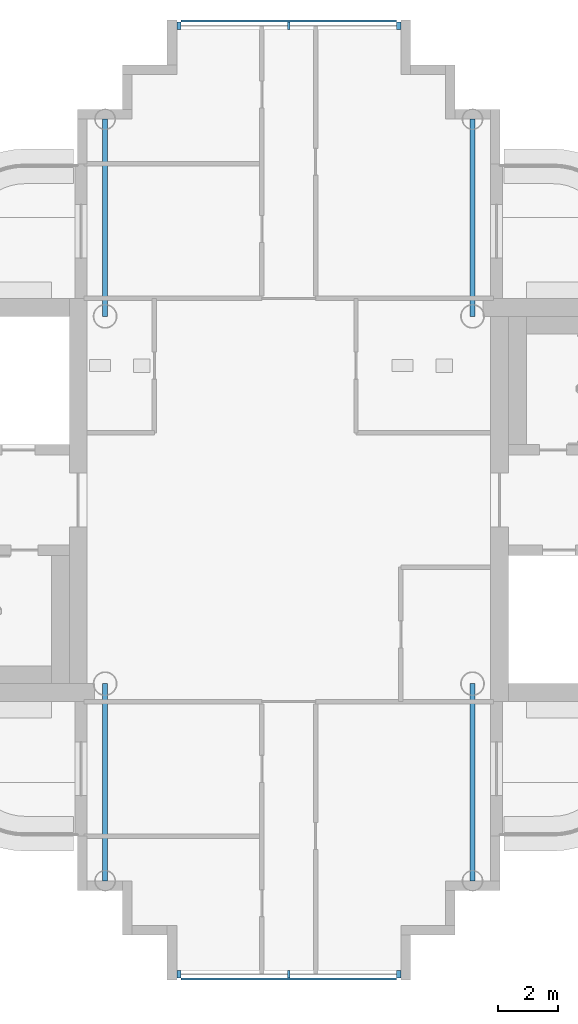
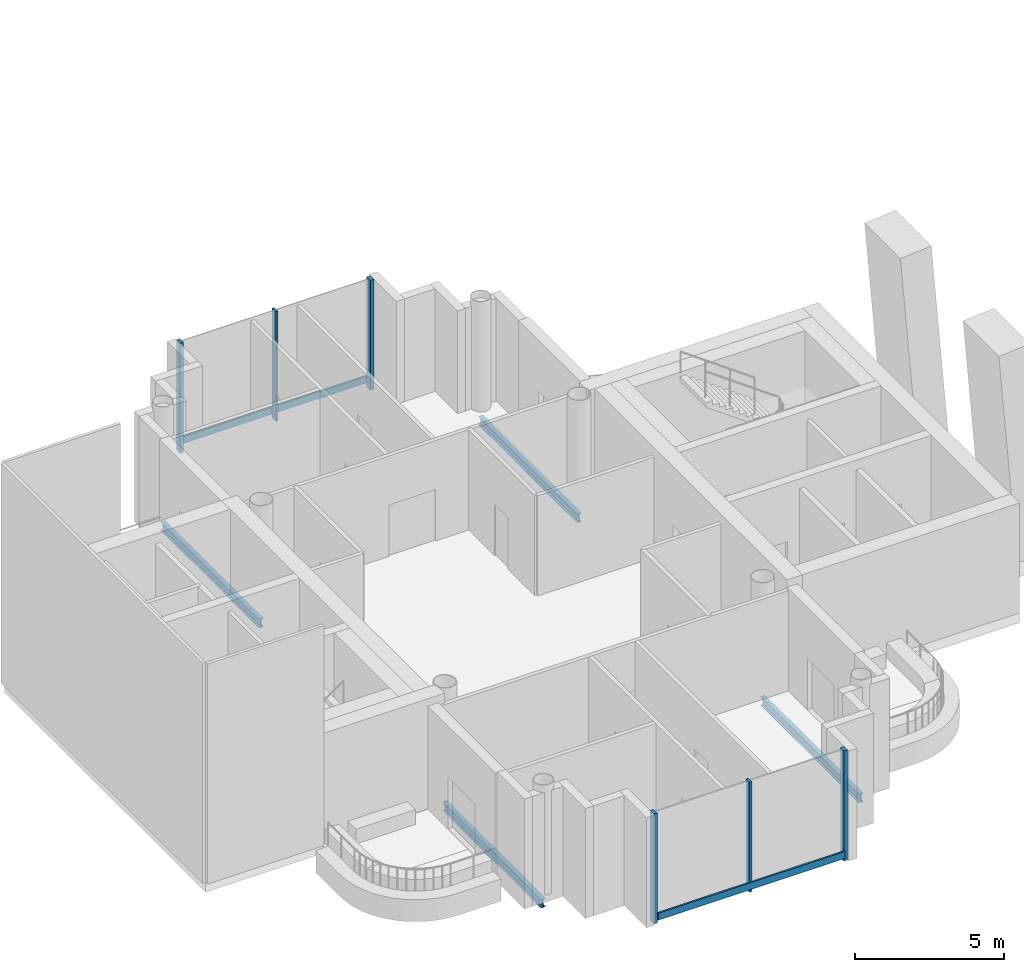
# One storey, part 3 of 19: 8 members, 4 beams, 2 elements without a shape of their own.
"""IFC4 building model written with IfcOpenShell, lengths in metres."""

from ifc_helpers import new_model, si_unit, direction, frame, origin, origin_2d, place, context, subcontext, project, spatial, rectangle, i_section, extrude, material, layer, layer_set, material_profile, profile_set, type_object, element, aggregate, save


model = new_model("IFC4")

# Units and contexts
model_context = context("Model", 3, precision=1e-05, world=origin(), true_north=direction((0.0, 1.0)))
body_context = subcontext(model_context, "Body", "Model", "MODEL_VIEW")
ifc_project = project(units=[si_unit("LENGTHUNIT", "METRE"), si_unit("AREAUNIT", "SQUARE_METRE"), si_unit("VOLUMEUNIT", "CUBIC_METRE"), si_unit("PLANEANGLEUNIT", "RADIAN"), si_unit("MASSUNIT", "GRAM", prefix="KILO")], contexts=[model_context])

# Site, building, storey
site_placement = place(None, origin())
site = spatial("IfcSite", under=ifc_project, at=site_placement, CompositionType="ELEMENT")
building_placement = place(site_placement, origin())
building = spatial("IfcBuilding", under=site, at=building_placement, Name="Ipe Terrace Towers", CompositionType="ELEMENT")
storey_placement = place(building_placement, frame((0.0, 0.0, 237.89990234375)))
storey = spatial("IfcBuildingStorey", under=building, at=storey_placement, Name="L66", CompositionType="ELEMENT", Elevation=237.89990234375)

# Beams
ifc_material_1 = material(Name="Steel S355", Category="steel")
ifc_material_profile_1 = material_profile(ifc_material_1, i_section(OverallWidth=0.175048828125, OverallDepth=0.35009765625, WebThickness=0.007080078125, FlangeThickness=0.010986328125, at=origin_2d()), Name="H-350x175x7x11")
ifc_profile_set_1 = profile_set([ifc_material_profile_1], Name="Steel S355")
beam_type = type_object("IfcBeamType", Name="H04 EDGE BEAM H-350x175x7x11", PredefinedType="BEAM", material=ifc_profile_set_1)
for number, where, z_axis, x_axis, name in (
    (1, (-29.85009765625, 12.75, -0.574951171875), (0.0, -1.0, 0.0), (1.0, 0.0, 0.0), "Edge beam T1-EB-B01-E03"),
    (2, (-42.14990234375, 12.75, -0.574951171875), (0.0, -1.0, 0.0), (1.0, 0.0, 0.0), "Edge beam T1-EB-B02-E04"),
    (3, (-42.14990234375, -12.75, -0.574951171875), (0.0, 1.0, 0.0), (-1.0, 0.0, 0.0), "Edge beam T1-EB-D01-E01"),
    (4, (-29.85009765625, -12.75, -0.574951171875), (0.0, 1.0, 0.0), (-1.0, 0.0, 0.0), "Edge beam T1-EB-D02-E02"),
):
    element("IfcBeam", number, at=place(storey_placement, frame(where, z_axis=z_axis, x_axis=x_axis)), inside=storey, type_object=beam_type, Name=name, PredefinedType="BEAM", context=body_context, shape_type="SweptSolid", body=[
        extrude(i_section(OverallWidth=0.175048828125, OverallDepth=0.35009765625, WebThickness=0.007080078125, FlangeThickness=0.010986328125, at=origin_2d()), origin(), (0.0, 0.0, 1.0), 6.60009765625),
    ])

# Curtain wall, members
ifc_material_2 = material(Name="Aluminium alloy 6063-T6", Category="aluminium")
ifc_layer = layer(ifc_material_2, 0.320068359375)
ifc_layer_set = layer_set([ifc_layer], Name="LANTERN CURTAIN WALL")
curtain_wall_type = type_object("IfcCurtainWallType", Name="LANTERN CURTAIN WALL", PredefinedType="NOTDEFINED", material=ifc_layer_set)
curtain_wall_1_placement = place(storey_placement, origin())
curtain_wall_1 = element("IfcCurtainWall", 5, at=curtain_wall_1_placement, inside=storey, type_object=curtain_wall_type, Name="T1-CW-L66-08a curtain wall", PredefinedType="NOTDEFINED")
ifc_material_3 = material(Name="Aluminium alloy 6063-T6", Category="aluminium")
ifc_material_profile_2 = material_profile(ifc_material_3, rectangle(XDim=0.25, YDim=0.139892578125, at=origin_2d()), Name="LANTERN CORNER MULLION 250 x 140")
ifc_profile_set_2 = profile_set([ifc_material_profile_2], Name="Aluminium alloy 6063-T6")
member_type_1 = type_object("IfcMemberType", Name="LANTERN CORNER MULLION 250 x 140", PredefinedType="MULLION", material=ifc_profile_set_2)
member_1_placement = place(storey_placement, frame((-39.679931640625, -15.875, -0.2998046875), z_axis=(0.0, 0.0, 1.0), x_axis=(0.0, -1.0, 0.0)))
member_1 = element("IfcMember", 6, at=member_1_placement, type_object=member_type_1, Name="T1-CW-L66-08a mullion 1", PredefinedType="MULLION", context=body_context, shape_type="SweptSolid", body=[
    extrude(rectangle(XDim=0.25, YDim=0.139892578125, at=origin_2d()), origin(), (0.0, 0.0, 1.0), 4.5),
])
member_2_placement = place(storey_placement, frame((-32.320068359375, -15.875, -0.2998046875), z_axis=(0.0, 0.0, 1.0), x_axis=(0.0, -1.0, 0.0)))
member_2 = element("IfcMember", 7, at=member_2_placement, type_object=member_type_1, Name="T1-CW-L66-08a mullion 3", PredefinedType="MULLION", context=body_context, shape_type="SweptSolid", body=[
    extrude(rectangle(XDim=0.25, YDim=0.139892578125, at=origin_2d()), origin(), (0.0, 0.0, 1.0), 4.5),
])

curtain_wall_2_placement = place(storey_placement, origin())
curtain_wall_2 = element("IfcCurtainWall", 8, at=curtain_wall_2_placement, inside=storey, type_object=curtain_wall_type, Name="T1-CW-L66-26a curtain wall", PredefinedType="NOTDEFINED")
member_3_placement = place(storey_placement, frame((-32.320068359375, 15.875, -0.2998046875), z_axis=(0.0, 0.0, 1.0), x_axis=(0.0, 1.0, 0.0)))
member_3 = element("IfcMember", 9, at=member_3_placement, type_object=member_type_1, Name="T1-CW-L66-26a mullion 1", PredefinedType="MULLION", context=body_context, shape_type="SweptSolid", body=[
    extrude(rectangle(XDim=0.25, YDim=0.139892578125, at=origin_2d()), origin(), (0.0, 0.0, 1.0), 4.5),
])
member_4_placement = place(storey_placement, frame((-39.679931640625, 15.875, -0.2998046875), z_axis=(0.0, 0.0, 1.0), x_axis=(0.0, 1.0, 0.0)))
member_4 = element("IfcMember", 10, at=member_4_placement, type_object=member_type_1, Name="T1-CW-L66-26a mullion 3", PredefinedType="MULLION", context=body_context, shape_type="SweptSolid", body=[
    extrude(rectangle(XDim=0.25, YDim=0.139892578125, at=origin_2d()), origin(), (0.0, 0.0, 1.0), 4.5),
])

# Member
ifc_material_4 = material(Name="Aluminium alloy 6063-T6", Category="aluminium")
ifc_material_profile_3 = material_profile(ifc_material_4, rectangle(XDim=0.25, YDim=0.080078125, at=origin_2d()), Name="LANTERN MULLION 250 x 80")
ifc_profile_set_3 = profile_set([ifc_material_profile_3], Name="Aluminium alloy 6063-T6")
member_type_2 = type_object("IfcMemberType", Name="LANTERN MULLION 250 x 80", PredefinedType="MULLION", material=ifc_profile_set_3)
member_5_placement = place(storey_placement, frame((-36.0, -15.875, -0.2998046875), z_axis=(0.0, 0.0, 1.0), x_axis=(0.0, -1.0, 0.0)))
member_5 = element("IfcMember", 11, at=member_5_placement, type_object=member_type_2, Name="T1-CW-L66-08a mullion 2", PredefinedType="MULLION", context=body_context, shape_type="SweptSolid", body=[
    extrude(rectangle(XDim=0.25, YDim=0.080078125, at=origin_2d()), origin(), (0.0, 0.0, 1.0), 4.5),
])

member_6_placement = place(storey_placement, frame((-36.0, 15.875, -0.2998046875), z_axis=(0.0, 0.0, 1.0), x_axis=(0.0, 1.0, 0.0)))
member_6 = element("IfcMember", 12, at=member_6_placement, type_object=member_type_2, Name="T1-CW-L66-26a mullion 2", PredefinedType="MULLION", context=body_context, shape_type="SweptSolid", body=[
    extrude(rectangle(XDim=0.25, YDim=0.080078125, at=origin_2d()), origin(), (0.0, 0.0, 1.0), 4.5),
])

ifc_material_5 = material(Name="Aluminium alloy 6063-T6", Category="aluminium")
ifc_material_profile_4 = material_profile(ifc_material_5, rectangle(XDim=0.070068359375, YDim=0.280029296875, at=origin_2d()), Name="LANTERN TRANSOM 70 x 280")
ifc_profile_set_4 = profile_set([ifc_material_profile_4], Name="Aluminium alloy 6063-T6")
member_type_3 = type_object("IfcMemberType", Name="LANTERN TRANSOM 70 x 280", PredefinedType="USERDEFINED", material=ifc_profile_set_4)
member_7_placement = place(storey_placement, frame((-39.610107421875, -16.034912109375, 0.0), z_axis=(1.0, 0.0, 0.0), x_axis=(0.0, -1.0, 0.0)))
member_7 = element("IfcMember", 13, at=member_7_placement, type_object=member_type_3, Name="T1-CW-L66-08a transom", ObjectType="TRANSOM", PredefinedType="USERDEFINED", context=body_context, shape_type="SweptSolid", body=[
    extrude(rectangle(XDim=0.070068359375, YDim=0.280029296875, at=origin_2d()), origin(), (0.0, 0.0, 1.0), 7.22021484375),
])

aggregate(curtain_wall_1, [member_1, member_5, member_2, member_7])

member_8_placement = place(storey_placement, frame((-32.389892578125, 16.034912109375, 0.0), z_axis=(-1.0, 0.0, 0.0), x_axis=(0.0, 1.0, 0.0)))
member_8 = element("IfcMember", 14, at=member_8_placement, type_object=member_type_3, Name="T1-CW-L66-26a transom", ObjectType="TRANSOM", PredefinedType="USERDEFINED", context=body_context, shape_type="SweptSolid", body=[
    extrude(rectangle(XDim=0.070068359375, YDim=0.280029296875, at=origin_2d()), origin(), (0.0, 0.0, 1.0), 7.22021484375),
])

aggregate(curtain_wall_2, [member_3, member_6, member_4, member_8])

save(model, "model.ifc")
